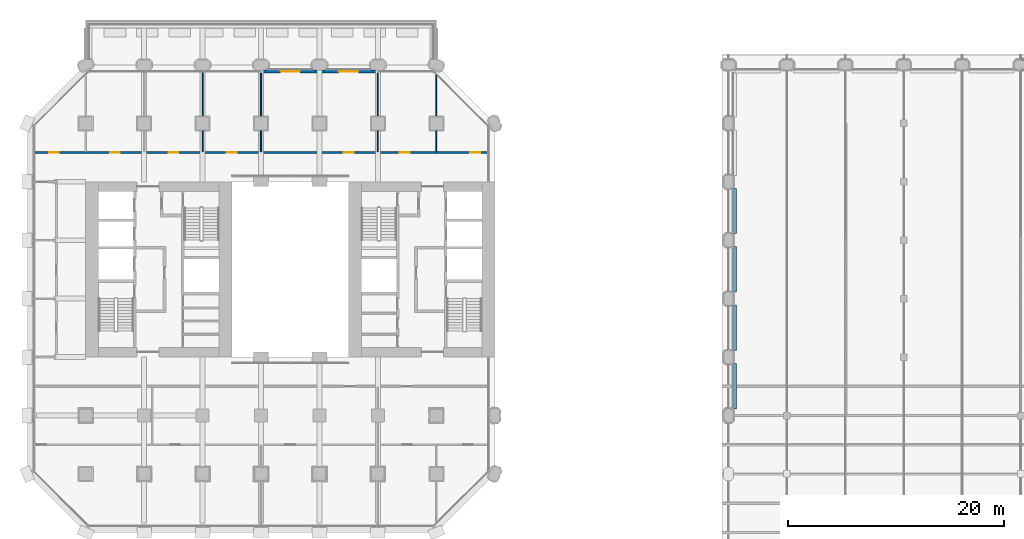
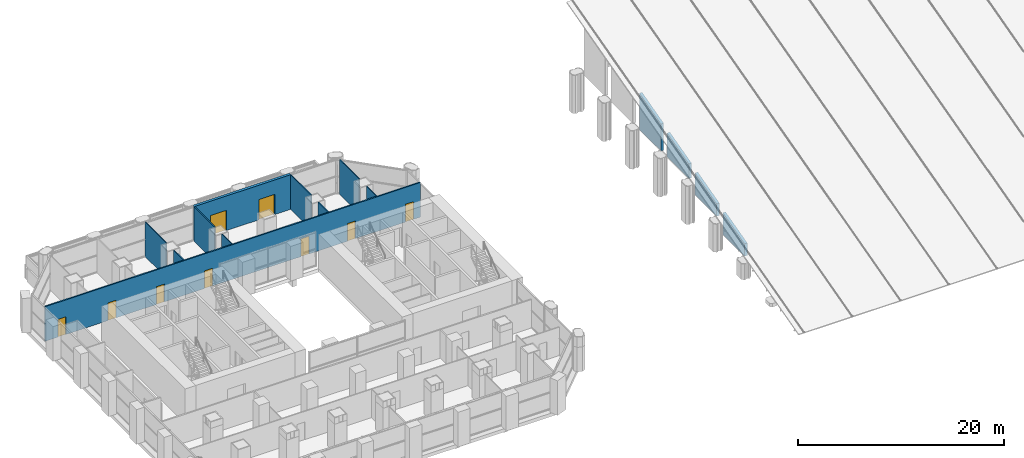
# One storey, part 15 of 23: 14 walls, 9 doors, 9 openings.
"""IFC4 building model written with IfcOpenShell, lengths in metres."""

import ifcopenshell
import ifcopenshell.guid

model = None  # the IFC model being written
_history = None  # IfcOwnerHistory: only IFC2X3 demands one
_inside = {}  # id of a spatial element -> (the spatial element, [elements in it])
_under = {}  # id of a project, library or spatial element -> (it, [spatial elements below it])
_declared = {}  # id of a project -> (the project, [libraries it declares])
_typed = {}  # id of a type object -> (the type object, [elements of that type])
_made_of = {}  # id of a material, layer set ... -> (it, [elements and type objects made of it])


def new_model(schema):
    """Start an empty IFC model of exactly this schema.

    Asked for "IFC4X3", IfcOpenShell would pick the latest addendum, in which some entities
    have other attributes; the version numbers below select the first issue.
    IFC2X3 requires an IfcOwnerHistory on every rooted entity: one is made here for all.
    """
    global model, _history
    if schema == "IFC4X3":
        model = ifcopenshell.file(schema_version=(4, 3, 0, 0))
    else:
        model = ifcopenshell.file(schema=schema)
    _inside.clear()
    _under.clear()
    _declared.clear()
    _typed.clear()
    _made_of.clear()
    _history = None
    if model.schema == "IFC2X3":
        org = make("IfcOrganization", Name="unknown")
        user = make(
            "IfcPersonAndOrganization",
            ThePerson=make("IfcPerson", FamilyName="unknown"),
            TheOrganization=org,
        )
        app = make(
            "IfcApplication",
            ApplicationDeveloper=org,
            Version="unknown",
            ApplicationFullName="unknown",
            ApplicationIdentifier="unknown",
        )
        _history = make(
            "IfcOwnerHistory",
            OwningUser=user,
            OwningApplication=app,
            ChangeAction="ADDED",
            CreationDate=0,
        )
    return model


def make(cls, **values):
    """One entity of the class cls with the attributes given. An attribute that is None is left unset."""
    return model.create_entity(
        cls, **{name: value for name, value in values.items() if value is not None}
    )


def rooted(cls, **values):
    """An entity with a GlobalId (a new one), such as an element, a storey or a relation."""
    return make(cls, GlobalId=ifcopenshell.guid.new(), OwnerHistory=_history, **values)


def si_unit(unit_type, name, prefix=None):
    """IfcSIUnit, for example si_unit("LENGTHUNIT", "METRE", prefix="MILLI")."""
    return make("IfcSIUnit", UnitType=unit_type, Prefix=prefix, Name=name)


def assignment(units):
    """IfcUnitAssignment: the units of a project."""
    return None if units is None else make("IfcUnitAssignment", Units=units)


def point(xyz):
    """IfcCartesianPoint."""
    return None if xyz is None else make("IfcCartesianPoint", Coordinates=xyz)


def direction(xyz):
    """IfcDirection."""
    return None if xyz is None else make("IfcDirection", DirectionRatios=xyz)


def frame(location, z_axis=None, x_axis=None):
    """IfcAxis2Placement3D, a coordinate frame: its origin and axes. An axis left out is left unset."""
    return make(
        "IfcAxis2Placement3D",
        Location=point(location),
        Axis=direction(z_axis),
        RefDirection=direction(x_axis),
    )


def frame_2d(location, x_axis=None):
    """IfcAxis2Placement2D, a coordinate frame in the plane: its origin and x axis."""
    return make(
        "IfcAxis2Placement2D", Location=point(location), RefDirection=direction(x_axis)
    )


def origin():
    """The frame at (0, 0, 0) with its axes left unset."""
    return frame((0.0, 0.0, 0.0))


def place(relative_to, where):
    """IfcLocalPlacement: puts the frame where relative to a parent placement (None: the world)."""
    return make(
        "IfcLocalPlacement", PlacementRelTo=relative_to, RelativePlacement=where
    )


def context(
    kind, dimensions, precision=None, world=None, true_north=None, identifier=None
):
    """IfcGeometricRepresentationContext, for example the 3D "Model" context."""
    return make(
        "IfcGeometricRepresentationContext",
        ContextIdentifier=identifier,
        ContextType=kind,
        CoordinateSpaceDimension=dimensions,
        Precision=precision,
        WorldCoordinateSystem=world,
        TrueNorth=true_north,
    )


def subcontext(parent, identifier, kind, view, scale=None):
    """IfcGeometricRepresentationSubContext, for example "Body" below "Model"."""
    return make(
        "IfcGeometricRepresentationSubContext",
        ContextIdentifier=identifier,
        ContextType=kind,
        ParentContext=parent,
        TargetScale=scale,
        TargetView=view,
    )


def project(units=None, contexts=None):
    """IfcProject with its units and contexts."""
    return rooted(
        "IfcProject",
        Name="project",
        RepresentationContexts=contexts,
        UnitsInContext=assignment(units),
    )


def spatial(cls, under=None, at=None, **own):
    """A site, building, storey or space (cls), placed at a placement, below another one or the project."""
    s = rooted(cls, ObjectPlacement=at, **own)
    if under is not None:
        _under.setdefault(under.id(), (under, []))[1].append(s)
    return s


def polyline(points):
    """IfcPolyline through the points."""
    return make("IfcPolyline", Points=[point(p) for p in points])


def profile(cls, at=None, kind="AREA", **sizes):
    """A parametric profile (cls). Its sizes go by their IFC names, for example OverallWidth=200.0."""
    return make(cls, ProfileType=kind, Position=at, **sizes)


def rectangle(**sizes):
    """IfcRectangleProfileDef."""
    return profile("IfcRectangleProfileDef", **sizes)


def outline(outer, holes=None, kind="AREA"):
    """IfcArbitraryClosedProfileDef: a profile drawn as a closed curve; with holes, ...WithVoids."""
    if holes is None:
        return make("IfcArbitraryClosedProfileDef", ProfileType=kind, OuterCurve=outer)
    return make(
        "IfcArbitraryProfileDefWithVoids",
        ProfileType=kind,
        OuterCurve=outer,
        InnerCurves=holes,
    )


def extrude(swept, where, along, depth):
    """IfcExtrudedAreaSolid: the profile swept, set in the frame where, extruded along a direction by depth."""
    return make(
        "IfcExtrudedAreaSolid",
        SweptArea=swept,
        Position=where,
        ExtrudedDirection=direction(along),
        Depth=depth,
    )


def shape(context_of_items, identifier, shape_type, items):
    """IfcShapeRepresentation: the items that make up one representation, for example the "Body"."""
    return make(
        "IfcShapeRepresentation",
        ContextOfItems=context_of_items,
        RepresentationIdentifier=identifier,
        RepresentationType=shape_type,
        Items=items,
    )


def material(Name=None, Category=None):
    """IfcMaterial."""
    return make("IfcMaterial", Name=Name, Category=Category)


def layer(
    of_material, thickness, ventilated=None, Name=None, Category=None, Priority=None
):
    """IfcMaterialLayer: one layer of a wall or slab, of a material (None: an air gap)."""
    return make(
        "IfcMaterialLayer",
        Material=of_material,
        LayerThickness=thickness,
        IsVentilated=ventilated,
        Name=Name,
        Category=Category,
        Priority=Priority,
    )


def layer_set(layers, Name=None):
    """IfcMaterialLayerSet."""
    return make("IfcMaterialLayerSet", MaterialLayers=layers, LayerSetName=Name)


def made_of(thing, what):
    """Note that an element or type object is made of a material, layer set ...; save() writes the relation."""
    if what is not None:
        _made_of.setdefault(what.id(), (what, []))[1].append(thing)
    return thing


def type_object(cls, material=None, **own):
    """A type object (cls), such as IfcWallType, which elements share."""
    return made_of(rooted(cls, **own), material)


def element(
    cls,
    number,
    at=None,
    inside=None,
    cuts=None,
    type_object=None,
    material=None,
    context=None,
    identifier="Body",
    shape_type=None,
    held_by="IfcProductDefinitionShape",
    body=None,
    shapes=None,
    **own,
):
    """One element of the class cls, such as IfcWall. Its Tag is "e" and its number.

    at: its placement. inside: the storey or other place that contains it. cuts: it is an
    opening in that element (IfcRelVoidsElement). A single representation is given by context,
    identifier, shape_type and body (its items); several are given by shapes. held_by: the class
    of the entity that holds the representations. save() writes the other relations.
    """
    e = rooted(cls, Tag="e%d" % number, ObjectPlacement=at, **own)
    if body is not None:
        shapes = [shape(context, identifier, shape_type, body)]
    if shapes is not None:
        e.Representation = make(held_by, Representations=shapes)
    if inside is not None:
        _inside.setdefault(inside.id(), (inside, []))[1].append(e)
    if cuts is not None:
        rooted(
            "IfcRelVoidsElement", RelatingBuildingElement=cuts, RelatedOpeningElement=e
        )
    if type_object is not None:
        _typed.setdefault(type_object.id(), (type_object, []))[1].append(e)
    return made_of(e, material)


def fill(opening, filler):
    """IfcRelFillsElement: the door or window that sits in an opening."""
    return rooted(
        "IfcRelFillsElement",
        RelatingOpeningElement=opening,
        RelatedBuildingElement=filler,
    )


def aggregate(whole, parts):
    """IfcRelAggregates: a whole, such as a stair, and the parts it consists of."""
    return rooted("IfcRelAggregates", RelatingObject=whole, RelatedObjects=parts)


def save(model, path):
    """Write the relations noted so far, then the file.

    IfcRelAggregates (storeys below a building ...), IfcRelContainedInSpatialStructure (elements
    in a storey), IfcRelDefinesByType, IfcRelAssociatesMaterial and IfcRelDeclares: one each for
    every whole, place, type object, material and project.
    """
    for whole, parts in _under.values():
        aggregate(whole, parts)
    for where, things in _inside.values():
        rooted(
            "IfcRelContainedInSpatialStructure",
            RelatedElements=things,
            RelatingStructure=where,
        )
    for kind, things in _typed.values():
        rooted("IfcRelDefinesByType", RelatedObjects=things, RelatingType=kind)
    for what, things in _made_of.values():
        rooted("IfcRelAssociatesMaterial", RelatedObjects=things, RelatingMaterial=what)
    for by, libraries in _declared.values():
        rooted("IfcRelDeclares", RelatingContext=by, RelatedDefinitions=libraries)
    model.write(path)


model = new_model("IFC4")

# Units and contexts
model_context = context("Model", 3, precision=1e-05, world=origin(), true_north=direction((0.0, 1.0)))
body_context = subcontext(model_context, "Body", "Model", "MODEL_VIEW")
ifc_project = project(units=[si_unit("LENGTHUNIT", "METRE"), si_unit("AREAUNIT", "SQUARE_METRE"), si_unit("VOLUMEUNIT", "CUBIC_METRE"), si_unit("PLANEANGLEUNIT", "RADIAN"), si_unit("MASSUNIT", "GRAM", prefix="KILO")], contexts=[model_context])

# Site, building, storey
site_placement = place(None, origin())
site = spatial("IfcSite", under=ifc_project, at=site_placement, CompositionType="ELEMENT")
building_placement = place(site_placement, origin())
building = spatial("IfcBuilding", under=site, at=building_placement, Name="Tabaq Tower and Sports Hall", CompositionType="ELEMENT")
storey_placement = place(building_placement, frame((0.0, 0.0, 24.60009765625)))
storey = spatial("IfcBuildingStorey", under=building, at=storey_placement, Name="L04", CompositionType="ELEMENT", Elevation=24.60009765625)

# Walls
ifc_material_1 = material(Name="Gypsum board on steel studs", Category="steel")
ifc_layer_1 = layer(ifc_material_1, 0.10009765625)
ifc_layer_set_1 = layer_set([ifc_layer_1], Name="Partition 100 Gypsum board")
wall_type_1 = type_object("IfcWallType", Name="Partition 100 Gypsum board", PredefinedType="PARTITIONING", material=ifc_layer_set_1)
wall_1_placement = place(storey_placement, frame((16.199951171875, 35.175048828125, 0.0), z_axis=(0.0, 0.0, 1.0), x_axis=(0.0, 1.0, 0.0)))
element("IfcWall", 1, at=wall_1_placement, inside=storey, type_object=wall_type_1, Name="Partition wall L04", PredefinedType="PARTITIONING", context=body_context, shape_type="SweptSolid", body=[
    extrude(rectangle(XDim=1.92431640625, YDim=0.10009765625, at=frame_2d((0.962158203125, 0.0))), origin(), (0.0, 0.0, 1.0), 4.099853515625),
])
wall_2_placement = place(storey_placement, frame((16.199951171875, 38.500732421875, 0.0), z_axis=(0.0, 0.0, 1.0), x_axis=(0.0, 1.0, 0.0)))
element("IfcWall", 2, at=wall_2_placement, inside=storey, type_object=wall_type_1, Name="Partition wall L04", PredefinedType="PARTITIONING", context=body_context, shape_type="SweptSolid", body=[
    extrude(rectangle(XDim=4.099365234375, YDim=0.10009765625, at=frame_2d((2.0498046875, 0.0))), origin(), (0.0, 0.0, 1.0), 4.099853515625),
])
wall_3_placement = place(storey_placement, frame((21.60009765625, 35.175048828125, 0.0), z_axis=(0.0, 0.0, 1.0), x_axis=(0.0, 1.0, 0.0)))
element("IfcWall", 3, at=wall_3_placement, inside=storey, type_object=wall_type_1, Name="Partition wall L04", PredefinedType="PARTITIONING", context=body_context, shape_type="SweptSolid", body=[
    extrude(rectangle(XDim=1.92431640625, YDim=0.10009765625, at=frame_2d((0.962158203125, 0.0))), origin(), (0.0, 0.0, 1.0), 4.099853515625),
])
wall_4_placement = place(storey_placement, frame((21.60009765625, 38.500732421875, 0.0), z_axis=(0.0, 0.0, 1.0), x_axis=(0.0, 1.0, 0.0)))
element("IfcWall", 4, at=wall_4_placement, inside=storey, type_object=wall_type_1, Name="Partition wall L04", PredefinedType="PARTITIONING", context=body_context, shape_type="SweptSolid", body=[
    extrude(rectangle(XDim=3.9482421875, YDim=0.10009765625, at=frame_2d((1.97412109375, 0.0))), origin(), (0.0, 0.0, 1.0), 4.099853515625),
])
wall_5_placement = place(storey_placement, frame((32.39990234375, 35.175048828125, 0.0), z_axis=(0.0, 0.0, 1.0), x_axis=(0.0, 1.0, 0.0)))
element("IfcWall", 5, at=wall_5_placement, inside=storey, type_object=wall_type_1, Name="Partition wall L04", PredefinedType="PARTITIONING", context=body_context, shape_type="SweptSolid", body=[
    extrude(rectangle(XDim=1.92431640625, YDim=0.10009765625, at=frame_2d((0.962158203125, 0.0))), origin(), (0.0, 0.0, 1.0), 4.099853515625),
])
wall_6_placement = place(storey_placement, frame((32.39990234375, 38.500732421875, 0.0), z_axis=(0.0, 0.0, 1.0), x_axis=(0.0, 1.0, 0.0)))
element("IfcWall", 6, at=wall_6_placement, inside=storey, type_object=wall_type_1, Name="Partition wall L04", PredefinedType="PARTITIONING", context=body_context, shape_type="SweptSolid", body=[
    extrude(rectangle(XDim=3.9482421875, YDim=0.10009765625, at=frame_2d((1.97412109375, 0.0))), origin(), (0.0, 0.0, 1.0), 4.099853515625),
])
wall_7_placement = place(storey_placement, frame((37.800048828125, 35.175048828125, 0.0), z_axis=(0.0, 0.0, 1.0), x_axis=(0.0, 1.0, 0.0)))
element("IfcWall", 7, at=wall_7_placement, inside=storey, type_object=wall_type_1, Name="Partition wall L04", PredefinedType="PARTITIONING", context=body_context, shape_type="SweptSolid", body=[
    extrude(rectangle(XDim=1.92431640625, YDim=0.10009765625, at=frame_2d((0.962158203125, 0.0))), origin(), (0.0, 0.0, 1.0), 4.099853515625),
])
wall_8_placement = place(storey_placement, frame((37.800048828125, 38.500732421875, 0.0), z_axis=(0.0, 0.0, 1.0), x_axis=(0.0, 1.0, 0.0)))
element("IfcWall", 8, at=wall_8_placement, inside=storey, type_object=wall_type_1, Name="Partition wall L04", PredefinedType="PARTITIONING", context=body_context, shape_type="SweptSolid", body=[
    extrude(rectangle(XDim=3.80078125, YDim=0.10009765625, at=frame_2d((1.900390625, 0.0))), origin(), (0.0, 0.0, 1.0), 4.099853515625),
])

# Wall, openings, doors
ifc_material_2 = material(Name="Blockwork", Category="masonry")
ifc_layer_2 = layer(ifc_material_2, 0.14990234375)
ifc_layer_set_2 = layer_set([ifc_layer_2], Name="Separating wall 150 Blockwork")
wall_type_2 = type_object("IfcWallType", Name="Separating wall 150 Blockwork", PredefinedType="PARTITIONING", material=ifc_layer_set_2)
wall_9_placement = place(storey_placement, frame((42.60009765625, 35.10009765625, 0.0), z_axis=(0.0, 0.0, 1.0), x_axis=(-1.0, 0.0, 0.0)))
wall_9 = element("IfcWall", 9, at=wall_9_placement, inside=storey, type_object=wall_type_2, Name="Separating wall L04", PredefinedType="PARTITIONING", context=body_context, shape_type="SweptSolid", body=[
    extrude(rectangle(XDim=42.0, YDim=0.14990234375, at=frame_2d((21.0, 0.0))), origin(), (0.0, 0.0, 1.0), 4.099853515625),
])
opening_1_placement = place(wall_9_placement, frame((39.675048828125, 0.0, 0.0)))
opening_1 = element("IfcOpeningElement", 10, at=opening_1_placement, cuts=wall_9, Name="Opening L04-001", PredefinedType="OPENING", context=body_context, shape_type="SweptSolid", body=[
    extrude(rectangle(XDim=0.89990234375, YDim=2.10009765625, at=frame_2d((0.449951171875, 1.050048828125))), frame((0.0, 0.074951171875, 0.0), z_axis=(0.0, -1.0, 0.0), x_axis=(1.0, 0.0, 0.0)), (0.0, 0.0, 1.0), 0.14990234375),
])
opening_2_placement = place(wall_9_placement, frame((34.050048828125, 0.0, 0.0)))
opening_2 = element("IfcOpeningElement", 11, at=opening_2_placement, cuts=wall_9, Name="Opening L04-002", PredefinedType="OPENING", context=body_context, shape_type="SweptSolid", body=[
    extrude(rectangle(XDim=0.89990234375, YDim=2.10009765625, at=frame_2d((0.449951171875, 1.050048828125))), frame((0.0, 0.074951171875, 0.0), z_axis=(0.0, -1.0, 0.0), x_axis=(1.0, 0.0, 0.0)), (0.0, 0.0, 1.0), 0.14990234375),
])
opening_3_placement = place(wall_9_placement, frame((28.64990234375, 0.0, 0.0)))
opening_3 = element("IfcOpeningElement", 12, at=opening_3_placement, cuts=wall_9, Name="Opening L04-003", PredefinedType="OPENING", context=body_context, shape_type="SweptSolid", body=[
    extrude(rectangle(XDim=0.89990234375, YDim=2.10009765625, at=frame_2d((0.449951171875, 1.050048828125))), frame((0.0, 0.074951171875, 0.0), z_axis=(0.0, -1.0, 0.0), x_axis=(1.0, 0.0, 0.0)), (0.0, 0.0, 1.0), 0.14990234375),
])
opening_4_placement = place(wall_9_placement, frame((23.25, 0.0, 0.0)))
opening_4 = element("IfcOpeningElement", 13, at=opening_4_placement, cuts=wall_9, Name="Opening L04-004", PredefinedType="OPENING", context=body_context, shape_type="SweptSolid", body=[
    extrude(rectangle(XDim=0.89990234375, YDim=2.10009765625, at=frame_2d((0.449951171875, 1.050048828125))), frame((0.0, 0.074951171875, 0.0), z_axis=(0.0, -1.0, 0.0), x_axis=(1.0, 0.0, 0.0)), (0.0, 0.0, 1.0), 0.14990234375),
])
opening_5_placement = place(wall_9_placement, frame((12.449951171875, 0.0, 0.0)))
opening_5 = element("IfcOpeningElement", 14, at=opening_5_placement, cuts=wall_9, Name="Opening L04-005", PredefinedType="OPENING", context=body_context, shape_type="SweptSolid", body=[
    extrude(rectangle(XDim=0.89990234375, YDim=2.10009765625, at=frame_2d((0.449951171875, 1.050048828125))), frame((0.0, 0.074951171875, 0.0), z_axis=(0.0, -1.0, 0.0), x_axis=(1.0, 0.0, 0.0)), (0.0, 0.0, 1.0), 0.14990234375),
])
opening_6_placement = place(wall_9_placement, frame((7.27490234375, 0.0, 0.0)))
opening_6 = element("IfcOpeningElement", 15, at=opening_6_placement, cuts=wall_9, Name="Opening L04-006", PredefinedType="OPENING", context=body_context, shape_type="SweptSolid", body=[
    extrude(rectangle(XDim=0.89990234375, YDim=2.10009765625, at=frame_2d((0.449951171875, 1.050048828125))), frame((0.0, 0.074951171875, 0.0), z_axis=(0.0, -1.0, 0.0), x_axis=(1.0, 0.0, 0.0)), (0.0, 0.0, 1.0), 0.14990234375),
])
opening_7_placement = place(wall_9_placement, frame((0.75, 0.0, 0.0)))
opening_7 = element("IfcOpeningElement", 16, at=opening_7_placement, cuts=wall_9, Name="Opening L04-007", PredefinedType="OPENING", context=body_context, shape_type="SweptSolid", body=[
    extrude(rectangle(XDim=0.89990234375, YDim=2.10009765625, at=frame_2d((0.449951171875, 1.050048828125))), frame((0.0, 0.074951171875, 0.0), z_axis=(0.0, -1.0, 0.0), x_axis=(1.0, 0.0, 0.0)), (0.0, 0.0, 1.0), 0.14990234375),
])
ifc_material_3 = material(Name="Timber leaf in steel frame", Category="steel")
door_type_1 = type_object("IfcDoorType", Name="Internal door 900 left hand", OperationType="SINGLE_SWING_LEFT", PredefinedType="DOOR", material=ifc_material_3)
door_1_placement = place(opening_4_placement, origin())
door_1 = element("IfcDoor", 17, at=door_1_placement, inside=storey, type_object=door_type_1, Name="Internal door L04-004", OperationType="SINGLE_SWING_LEFT", OverallHeight=2.10009765625, OverallWidth=0.89990234375, PredefinedType="DOOR", context=body_context, shape_type="SweptSolid", body=[
    extrude(rectangle(XDim=0.89990234375, YDim=2.10009765625, at=frame_2d((0.449951171875, 1.050048828125))), frame((0.0, 0.02490234375, 0.0), z_axis=(0.0, -1.0, 0.0), x_axis=(1.0, 0.0, 0.0)), (0.0, 0.0, 1.0), 0.050048828125),
])
fill(opening_4, door_1)
door_2_placement = place(opening_5_placement, origin())
door_2 = element("IfcDoor", 18, at=door_2_placement, inside=storey, type_object=door_type_1, Name="Internal door L04-005", OperationType="SINGLE_SWING_LEFT", OverallHeight=2.10009765625, OverallWidth=0.89990234375, PredefinedType="DOOR", context=body_context, shape_type="SweptSolid", body=[
    extrude(rectangle(XDim=0.89990234375, YDim=2.10009765625, at=frame_2d((0.449951171875, 1.050048828125))), frame((0.0, 0.02490234375, 0.0), z_axis=(0.0, -1.0, 0.0), x_axis=(1.0, 0.0, 0.0)), (0.0, 0.0, 1.0), 0.050048828125),
])
fill(opening_5, door_2)
door_3_placement = place(opening_6_placement, origin())
door_3 = element("IfcDoor", 19, at=door_3_placement, inside=storey, type_object=door_type_1, Name="Internal door L04-006", OperationType="SINGLE_SWING_LEFT", OverallHeight=2.10009765625, OverallWidth=0.89990234375, PredefinedType="DOOR", context=body_context, shape_type="SweptSolid", body=[
    extrude(rectangle(XDim=0.89990234375, YDim=2.10009765625, at=frame_2d((0.449951171875, 1.050048828125))), frame((0.0, 0.02490234375, 0.0), z_axis=(0.0, -1.0, 0.0), x_axis=(1.0, 0.0, 0.0)), (0.0, 0.0, 1.0), 0.050048828125),
])
fill(opening_6, door_3)
door_4_placement = place(opening_7_placement, origin())
door_4 = element("IfcDoor", 20, at=door_4_placement, inside=storey, type_object=door_type_1, Name="Internal door L04-007", OperationType="SINGLE_SWING_LEFT", OverallHeight=2.10009765625, OverallWidth=0.89990234375, PredefinedType="DOOR", context=body_context, shape_type="SweptSolid", body=[
    extrude(rectangle(XDim=0.89990234375, YDim=2.10009765625, at=frame_2d((0.449951171875, 1.050048828125))), frame((0.0, 0.02490234375, 0.0), z_axis=(0.0, -1.0, 0.0), x_axis=(1.0, 0.0, 0.0)), (0.0, 0.0, 1.0), 0.050048828125),
])
fill(opening_7, door_4)
ifc_material_4 = material(Name="Timber leaf in steel frame", Category="steel")
door_type_2 = type_object("IfcDoorType", Name="Internal door 900 right hand", OperationType="SINGLE_SWING_RIGHT", PredefinedType="DOOR", material=ifc_material_4)
door_5_placement = place(opening_1_placement, origin())
door_5 = element("IfcDoor", 21, at=door_5_placement, inside=storey, type_object=door_type_2, Name="Internal door L04-001", OperationType="SINGLE_SWING_RIGHT", OverallHeight=2.10009765625, OverallWidth=0.89990234375, PredefinedType="DOOR", context=body_context, shape_type="SweptSolid", body=[
    extrude(rectangle(XDim=0.89990234375, YDim=2.10009765625, at=frame_2d((0.449951171875, 1.050048828125))), frame((0.0, 0.02490234375, 0.0), z_axis=(0.0, -1.0, 0.0), x_axis=(1.0, 0.0, 0.0)), (0.0, 0.0, 1.0), 0.050048828125),
])
fill(opening_1, door_5)
door_6_placement = place(opening_2_placement, origin())
door_6 = element("IfcDoor", 22, at=door_6_placement, inside=storey, type_object=door_type_2, Name="Internal door L04-002", OperationType="SINGLE_SWING_RIGHT", OverallHeight=2.10009765625, OverallWidth=0.89990234375, PredefinedType="DOOR", context=body_context, shape_type="SweptSolid", body=[
    extrude(rectangle(XDim=0.89990234375, YDim=2.10009765625, at=frame_2d((0.449951171875, 1.050048828125))), frame((0.0, 0.02490234375, 0.0), z_axis=(0.0, -1.0, 0.0), x_axis=(1.0, 0.0, 0.0)), (0.0, 0.0, 1.0), 0.050048828125),
])
fill(opening_2, door_6)
door_7_placement = place(opening_3_placement, origin())
door_7 = element("IfcDoor", 23, at=door_7_placement, inside=storey, type_object=door_type_2, Name="Internal door L04-003", OperationType="SINGLE_SWING_RIGHT", OverallHeight=2.10009765625, OverallWidth=0.89990234375, PredefinedType="DOOR", context=body_context, shape_type="SweptSolid", body=[
    extrude(rectangle(XDim=0.89990234375, YDim=2.10009765625, at=frame_2d((0.449951171875, 1.050048828125))), frame((0.0, 0.02490234375, 0.0), z_axis=(0.0, -1.0, 0.0), x_axis=(1.0, 0.0, 0.0)), (0.0, 0.0, 1.0), 0.050048828125),
])
fill(opening_3, door_7)

# Walls
ifc_material_5 = material(Name="White precast concrete C60/75", Category="concrete")
ifc_layer_3 = layer(ifc_material_5, 0.300048828125)
ifc_layer_set_3 = layer_set([ifc_layer_3], Name="White precast concrete C60/75 external wall 300")
wall_type_3 = type_object("IfcWallType", Name="White precast concrete C60/75 external wall 300", PredefinedType="SOLIDWALL", material=ifc_layer_set_3)
wall_10_placement = place(storey_placement, frame((65.39990234375, 11.39990234375, 1.776611328125), z_axis=(0.0, 0.0, 1.0), x_axis=(0.0, 1.0, 0.0)))
element("IfcWall", 24, at=wall_10_placement, inside=storey, type_object=wall_type_3, Name="L03 W facade panel", PredefinedType="SOLIDWALL", context=body_context, shape_type="SweptSolid", body=[
    extrude(outline(polyline([(0.0, 0.0), (4.2001953125, 0.0), (4.199951171875, 2.587646484375), (0.0, 1.46240234375), (0.0, 0.0)])), frame((0.0, 0.14990234375, 0.0), z_axis=(0.0, -1.0, 0.0), x_axis=(1.0, 0.0, 0.0)), (0.0, 0.0, 1.0), 0.300048828125),
])
wall_11_placement = place(storey_placement, frame((65.39990234375, 16.800048828125, 3.2236328125), z_axis=(0.0, 0.0, 1.0), x_axis=(0.0, 1.0, 0.0)))
element("IfcWall", 25, at=wall_11_placement, inside=storey, type_object=wall_type_3, Name="L03 W facade panel", PredefinedType="SOLIDWALL", context=body_context, shape_type="SweptSolid", body=[
    extrude(outline(polyline([(0.0, 0.0), (4.199951171875, 0.0), (4.199951171875, 2.587646484375), (0.0, 1.462158203125), (0.0, 0.0)])), frame((0.0, 0.14990234375, 0.0), z_axis=(0.0, -1.0, 0.0), x_axis=(1.0, 0.0, 0.0)), (0.0, 0.0, 1.0), 0.300048828125),
])
wall_12_placement = place(storey_placement, frame((65.39990234375, 22.199951171875, 4.39990234375), z_axis=(0.0, 0.0, 1.0), x_axis=(0.0, 1.0, 0.0)))
element("IfcWall", 26, at=wall_12_placement, inside=storey, type_object=wall_type_3, Name="L03 W facade panel", PredefinedType="SOLIDWALL", context=body_context, shape_type="SweptSolid", body=[
    extrude(outline(polyline([(0.0, 0.0), (4.199951171875, 0.0), (4.199951171875, 2.8583984375), (0.0, 1.73291015625), (0.0, 0.0)])), frame((0.0, 0.14990234375, 0.0), z_axis=(0.0, -1.0, 0.0), x_axis=(1.0, 0.0, 0.0)), (0.0, 0.0, 1.0), 0.300048828125),
])
wall_13_placement = place(storey_placement, frame((65.39990234375, 27.60009765625, 4.39990234375), z_axis=(0.0, 0.0, 1.0), x_axis=(0.0, 1.0, 0.0)))
element("IfcWall", 27, at=wall_13_placement, inside=storey, type_object=wall_type_3, Name="L03 W facade panel", PredefinedType="SOLIDWALL", context=body_context, shape_type="SweptSolid", body=[
    extrude(outline(polyline([(0.0, 0.0), (4.199951171875, 0.0), (4.199951171875, 4.30517578125), (0.0, 3.179931640625), (0.0, 0.0)])), frame((0.0, 0.14990234375, 0.0), z_axis=(0.0, -1.0, 0.0), x_axis=(1.0, 0.0, 0.0)), (0.0, 0.0, 1.0), 0.300048828125),
])

# Wall, openings, doors
wall_14_placement = place(storey_placement, frame((32.39990234375, 42.60009765625, 0.0), z_axis=(0.0, 0.0, 1.0), x_axis=(-1.0, 0.0, 0.0)))
wall_14 = element("IfcWall", 28, at=wall_14_placement, inside=storey, type_object=wall_type_3, Name="External Wall L04 N", PredefinedType="SOLIDWALL", context=body_context, shape_type="SweptSolid", body=[
    extrude(rectangle(XDim=10.7998046875, YDim=0.300048828125, at=frame_2d((5.39990234375, 0.0))), origin(), (0.0, 0.0, 1.0), 4.099853515625),
])
opening_8_placement = place(wall_14_placement, frame((1.800048828125, 0.0, 0.0)))
opening_8 = element("IfcOpeningElement", 29, at=opening_8_placement, cuts=wall_14, Name="Opening TD0401", PredefinedType="OPENING", context=body_context, shape_type="SweptSolid", body=[
    extrude(rectangle(XDim=1.800048828125, YDim=2.39990234375, at=frame_2d((0.89990234375, 1.199951171875))), frame((0.0, 0.16015625, 0.0), z_axis=(0.0, -1.0, 0.0), x_axis=(1.0, 0.0, 0.0)), (0.0, 0.0, 1.0), 0.320068359375),
])
opening_9_placement = place(wall_14_placement, frame((7.199951171875, 0.0, 0.0)))
opening_9 = element("IfcOpeningElement", 30, at=opening_9_placement, cuts=wall_14, Name="Opening TD0402", PredefinedType="OPENING", context=body_context, shape_type="SweptSolid", body=[
    extrude(rectangle(XDim=1.800048828125, YDim=2.39990234375, at=frame_2d((0.89990234375, 1.199951171875))), frame((0.0, 0.16015625, 0.0), z_axis=(0.0, -1.0, 0.0), x_axis=(1.0, 0.0, 0.0)), (0.0, 0.0, 1.0), 0.320068359375),
])
ifc_material_6 = material(Name="Aluminium framed clear glazing", Category="aluminium")
door_type_3 = type_object("IfcDoorType", Name="Terrace door TD1", OperationType="DOUBLE_DOOR_DOUBLE_SWING", PredefinedType="DOOR", material=ifc_material_6)
door_8_placement = place(opening_8_placement, origin())
door_8 = element("IfcDoor", 31, at=door_8_placement, inside=storey, type_object=door_type_3, Name="Terrace door TD0401", OperationType="DOUBLE_DOOR_DOUBLE_SWING", OverallHeight=2.39990234375, OverallWidth=1.800048828125, PredefinedType="DOOR", context=body_context, shape_type="SweptSolid", body=[
    extrude(rectangle(XDim=1.800048828125, YDim=2.39990234375, at=frame_2d((0.89990234375, 1.199951171875))), frame((0.0, 0.02490234375, 0.0), z_axis=(0.0, -1.0, 0.0), x_axis=(1.0, 0.0, 0.0)), (0.0, 0.0, 1.0), 0.050048828125),
])
fill(opening_8, door_8)
door_9_placement = place(opening_9_placement, origin())
door_9 = element("IfcDoor", 32, at=door_9_placement, inside=storey, type_object=door_type_3, Name="Terrace door TD0402", OperationType="DOUBLE_DOOR_DOUBLE_SWING", OverallHeight=2.39990234375, OverallWidth=1.800048828125, PredefinedType="DOOR", context=body_context, shape_type="SweptSolid", body=[
    extrude(rectangle(XDim=1.800048828125, YDim=2.39990234375, at=frame_2d((0.89990234375, 1.199951171875))), frame((0.0, 0.02490234375, 0.0), z_axis=(0.0, -1.0, 0.0), x_axis=(1.0, 0.0, 0.0)), (0.0, 0.0, 1.0), 0.050048828125),
])
fill(opening_9, door_9)

save(model, "model.ifc")
